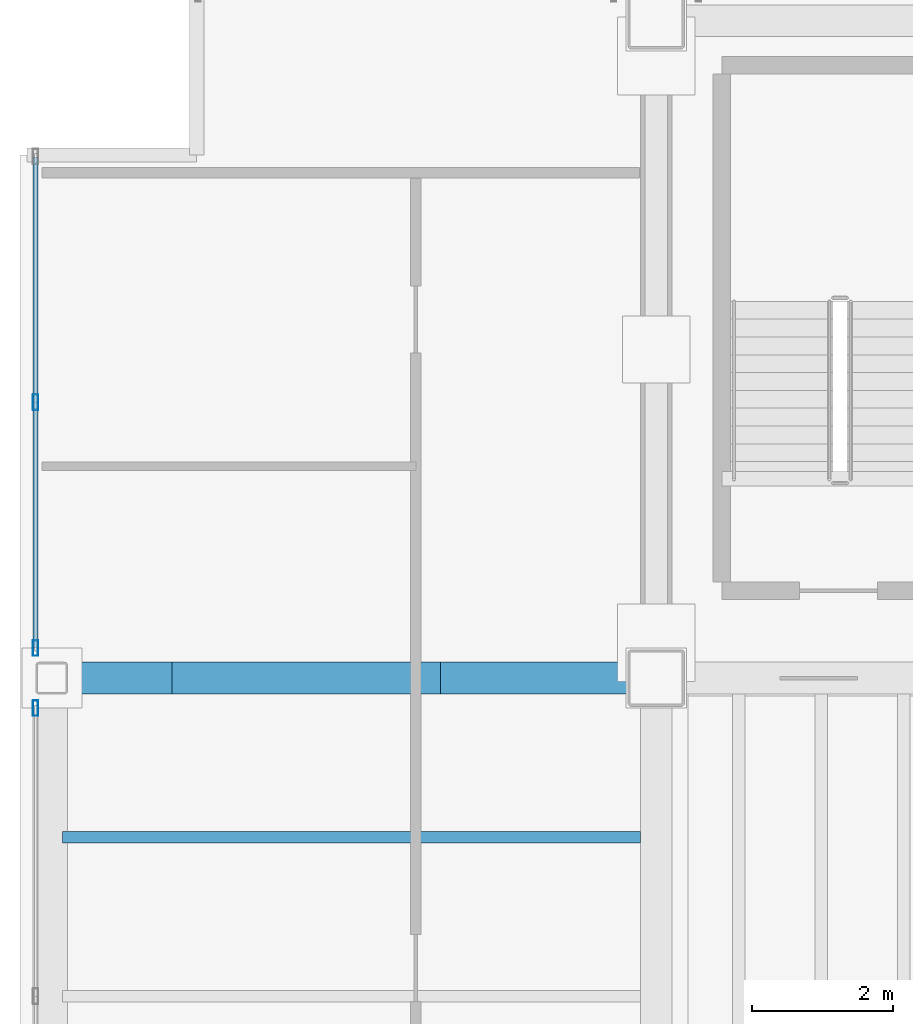
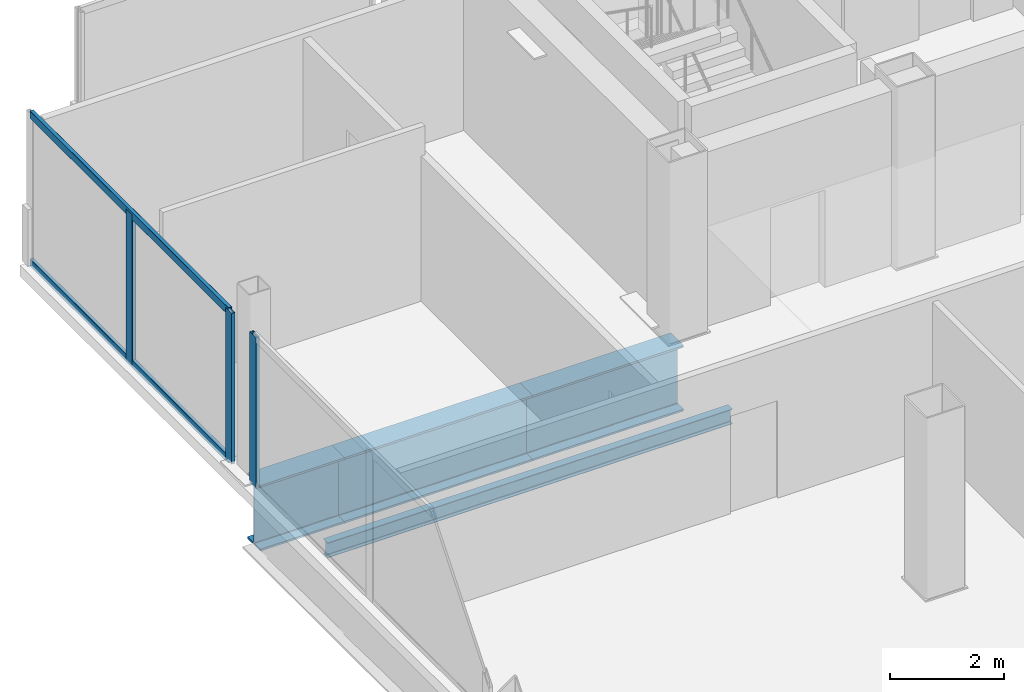
# One storey, part 8 of 22: 5 members, 4 beams, 2 elements without a shape of their own.
"""IFC4 building model written with IfcOpenShell, lengths in metres."""

from ifc_helpers import new_model, si_unit, direction, frame, origin, origin_2d, place, context, subcontext, project, spatial, hollow_rectangle, i_section, extrude, material, material_profile, profile_set, type_object, element, aggregate, save


model = new_model("IFC4")

# Units and contexts
model_context = context("Model", 3, precision=1e-05, world=origin(), true_north=direction((0.0, 1.0)))
body_context = subcontext(model_context, "Body", "Model", "MODEL_VIEW")
ifc_project = project(units=[si_unit("LENGTHUNIT", "METRE"), si_unit("AREAUNIT", "SQUARE_METRE"), si_unit("VOLUMEUNIT", "CUBIC_METRE"), si_unit("PLANEANGLEUNIT", "RADIAN"), si_unit("MASSUNIT", "GRAM", prefix="KILO")], contexts=[model_context])

# Site, building, storey
site_placement = place(None, origin())
site = spatial("IfcSite", under=ifc_project, at=site_placement, CompositionType="ELEMENT")
building_placement = place(site_placement, origin())
building = spatial("IfcBuilding", under=site, at=building_placement, Name="Noeulbin Bourse Tower", CompositionType="ELEMENT")
storey_placement = place(building_placement, frame((0.0, 0.0, 230.60009765625)))
storey = spatial("IfcBuildingStorey", under=building, at=storey_placement, Name="L57", CompositionType="ELEMENT", Elevation=230.60009765625)

# Beams
ifc_material_1 = material(Name="Steel S355", Category="steel")
ifc_material_profile_1 = material_profile(ifc_material_1, i_section(OverallWidth=0.159912109375, OverallDepth=0.320068359375, WebThickness=0.006591796875, FlangeThickness=0.010009765625, FilletRadius=0.012939453125, at=origin_2d()), Name="H-320x160x6.5x10", Category="LoadBearing")
ifc_profile_set_1 = profile_set([ifc_material_profile_1], Name="Steel S355")
beam_type_1 = type_object("IfcBeamType", Name="BM-JST-320", PredefinedType="JOIST", material=ifc_profile_set_1)
beam_1_placement = place(storey_placement, frame((5.10009765625, 26.75, -0.400146484375), z_axis=(1.0, 0.0, 0.0), x_axis=(0.0, 1.0, 0.0)))
element("IfcBeam", 1, at=beam_1_placement, inside=storey, type_object=beam_type_1, Name="Wing Composite Joist L57-W39", PredefinedType="JOIST", context=body_context, shape_type="SweptSolid", body=[
    extrude(i_section(OverallWidth=0.159912109375, OverallDepth=0.320068359375, WebThickness=0.006591796875, FlangeThickness=0.010009765625, FilletRadius=0.012939453125, at=origin_2d()), origin(), (0.0, 0.0, 1.0), 8.1748046875),
])
ifc_material_2 = material(Name="Steel S460", Category="steel")
ifc_material_profile_2 = material_profile(ifc_material_2, i_section(OverallWidth=0.449951171875, OverallDepth=1.39990234375, WebThickness=0.02392578125, FlangeThickness=0.0400390625, FilletRadius=0.02392578125, at=origin_2d()), Name="PG-1400x450x24x40", Category="LoadBearing")
ifc_profile_set_2 = profile_set([ifc_material_profile_2], Name="Steel S460")
beam_type_2 = type_object("IfcBeamType", Name="BM-TRF-1400", PredefinedType="USERDEFINED", material=ifc_profile_set_2)
beam_2_placement = place(storey_placement, frame((4.949951171875, 29.0, -0.940185546875), z_axis=(1.0, 0.0, 0.0), x_axis=(0.0, 1.0, 0.0)))
element("IfcBeam", 2, at=beam_2_placement, inside=storey, type_object=beam_type_2, Name="Tower Primary Girder EW L57-2.1", ObjectType="GIRDER", PredefinedType="USERDEFINED", context=body_context, shape_type="SweptSolid", body=[
    extrude(i_section(OverallWidth=0.449951171875, OverallDepth=1.39990234375, WebThickness=0.02392578125, FlangeThickness=0.0400390625, FilletRadius=0.02392578125, at=origin_2d()), origin(), (0.0, 0.0, 1.0), 1.699951171875),
])
beam_3_placement = place(storey_placement, frame((6.64990234375, 29.0, -0.940185546875), z_axis=(1.0, 0.0, 0.0), x_axis=(0.0, 1.0, 0.0)))
element("IfcBeam", 3, at=beam_3_placement, inside=storey, type_object=beam_type_2, Name="Tower Primary Girder EW L57-2.2", ObjectType="GIRDER", PredefinedType="USERDEFINED", context=body_context, shape_type="SweptSolid", body=[
    extrude(i_section(OverallWidth=0.449951171875, OverallDepth=1.39990234375, WebThickness=0.02392578125, FlangeThickness=0.0400390625, FilletRadius=0.02392578125, at=origin_2d()), origin(), (0.0, 0.0, 1.0), 3.800048828125),
])
beam_4_placement = place(storey_placement, frame((10.449951171875, 29.0, -0.940185546875), z_axis=(1.0, 0.0, 0.0), x_axis=(0.0, 1.0, 0.0)))
element("IfcBeam", 4, at=beam_4_placement, inside=storey, type_object=beam_type_2, Name="Tower Primary Girder EW L57-2.3", ObjectType="GIRDER", PredefinedType="USERDEFINED", context=body_context, shape_type="SweptSolid", body=[
    extrude(i_section(OverallWidth=0.449951171875, OverallDepth=1.39990234375, WebThickness=0.02392578125, FlangeThickness=0.0400390625, FilletRadius=0.02392578125, at=origin_2d()), origin(), (0.0, 0.0, 1.0), 3.050048828125),
])

# Curtain wall, member
ifc_material_3 = material(Name="High-Selectivity Low-Iron Glazing", Category="glass")
curtain_wall_type = type_object("IfcCurtainWallType", Name="CW-SYS-4", PredefinedType="NOTDEFINED", material=ifc_material_3)
curtain_wall_1_placement = place(storey_placement, origin())
curtain_wall_1 = element("IfcCurtainWall", 5, at=curtain_wall_1_placement, inside=storey, type_object=curtain_wall_type, Name="Unitised Curtain Wall CW-L57-W-S2", PredefinedType="NOTDEFINED")
ifc_material_4 = material(Name="Anodised Aluminium 6063-T6", Category="aluminium")
ifc_material_profile_3 = material_profile(ifc_material_4, hollow_rectangle(XDim=0.074951171875, YDim=0.219970703125, WallThickness=0.0048828125, InnerFilletRadius=0.00244140625, OuterFilletRadius=0.0048828125, at=origin_2d()), Name="ALU-MULL-75x220x5", Category="LoadBearing")
ifc_profile_set_3 = profile_set([ifc_material_profile_3], Name="Anodised Aluminium 6063-T6")
member_type_1 = type_object("IfcMemberType", Name="CW-SYS-4-MUL", PredefinedType="MULLION", material=ifc_profile_set_3)
member_1_placement = place(storey_placement, frame((4.719970703125, 28.574951171875, -0.02001953125), z_axis=(0.0, 0.0, 1.0), x_axis=(1.0, 0.0, 0.0)))
member_1 = element("IfcMember", 6, at=member_1_placement, type_object=member_type_1, Name="Curtain Wall Mullion CW-L57-W-S2-M02", PredefinedType="MULLION", context=body_context, shape_type="SweptSolid", body=[
    extrude(hollow_rectangle(XDim=0.074951171875, YDim=0.219970703125, WallThickness=0.0048828125, InnerFilletRadius=0.00244140625, OuterFilletRadius=0.0048828125, at=origin_2d()), origin(), (0.0, 0.0, 1.0), 3.219970703125),
])
aggregate(curtain_wall_1, [member_1])

# Curtain wall, members
curtain_wall_2_placement = place(storey_placement, origin())
curtain_wall_2 = element("IfcCurtainWall", 7, at=curtain_wall_2_placement, inside=storey, type_object=curtain_wall_type, Name="Unitised Curtain Wall CW-L57-W-S3", PredefinedType="NOTDEFINED")
member_2_placement = place(storey_placement, frame((4.719970703125, 29.425048828125, -0.02001953125), z_axis=(0.0, 0.0, 1.0), x_axis=(1.0, 0.0, 0.0)))
member_2 = element("IfcMember", 8, at=member_2_placement, type_object=member_type_1, Name="Curtain Wall Mullion CW-L57-W-S3-M00", PredefinedType="MULLION", context=body_context, shape_type="SweptSolid", body=[
    extrude(hollow_rectangle(XDim=0.074951171875, YDim=0.219970703125, WallThickness=0.0048828125, InnerFilletRadius=0.00244140625, OuterFilletRadius=0.0048828125, at=origin_2d()), origin(), (0.0, 0.0, 1.0), 3.219970703125),
])
member_3_placement = place(storey_placement, frame((4.719970703125, 32.902587890625, -0.02001953125), z_axis=(0.0, 0.0, 1.0), x_axis=(1.0, 0.0, 0.0)))
member_3 = element("IfcMember", 9, at=member_3_placement, type_object=member_type_1, Name="Curtain Wall Mullion CW-L57-W-S3-M01", PredefinedType="MULLION", context=body_context, shape_type="SweptSolid", body=[
    extrude(hollow_rectangle(XDim=0.074951171875, YDim=0.219970703125, WallThickness=0.0048828125, InnerFilletRadius=0.00244140625, OuterFilletRadius=0.0048828125, at=origin_2d()), origin(), (0.0, 0.0, 1.0), 3.219970703125),
])
ifc_material_profile_4 = material_profile(ifc_material_4, hollow_rectangle(XDim=0.074951171875, YDim=0.159912109375, WallThickness=0.0048828125, InnerFilletRadius=0.00244140625, OuterFilletRadius=0.0048828125, at=origin_2d()), Name="ALU-TRAN-75x160x5", Category="LoadBearing")
ifc_profile_set_4 = profile_set([ifc_material_profile_4], Name="Anodised Aluminium 6063-T6")
member_type_2 = type_object("IfcMemberType", Name="CW-SYS-4-TRN", PredefinedType="USERDEFINED", material=ifc_profile_set_4)
member_4_placement = place(storey_placement, frame((4.719970703125, 29.43505859375, 0.010009765625), z_axis=(0.0, 1.0, 0.0), x_axis=(-1.0, 0.0, 0.0)))
member_4 = element("IfcMember", 10, at=member_4_placement, type_object=member_type_2, Name="Curtain Wall Transom CW-L57-W-S3-T00", ObjectType="TRANSOM", PredefinedType="USERDEFINED", context=body_context, shape_type="SweptSolid", body=[
    extrude(hollow_rectangle(XDim=0.074951171875, YDim=0.159912109375, WallThickness=0.0048828125, InnerFilletRadius=0.00244140625, OuterFilletRadius=0.0048828125, at=origin_2d()), origin(), (0.0, 0.0, 1.0), 6.93505859375),
])
member_5_placement = place(storey_placement, frame((4.719970703125, 29.43505859375, 3.169921875), z_axis=(0.0, 1.0, 0.0), x_axis=(-1.0, 0.0, 0.0)))
member_5 = element("IfcMember", 11, at=member_5_placement, type_object=member_type_2, Name="Curtain Wall Transom CW-L57-W-S3-T01", ObjectType="TRANSOM", PredefinedType="USERDEFINED", context=body_context, shape_type="SweptSolid", body=[
    extrude(hollow_rectangle(XDim=0.074951171875, YDim=0.159912109375, WallThickness=0.0048828125, InnerFilletRadius=0.00244140625, OuterFilletRadius=0.0048828125, at=origin_2d()), origin(), (0.0, 0.0, 1.0), 6.93505859375),
])
aggregate(curtain_wall_2, [member_2, member_3, member_4, member_5])

save(model, "model.ifc")
